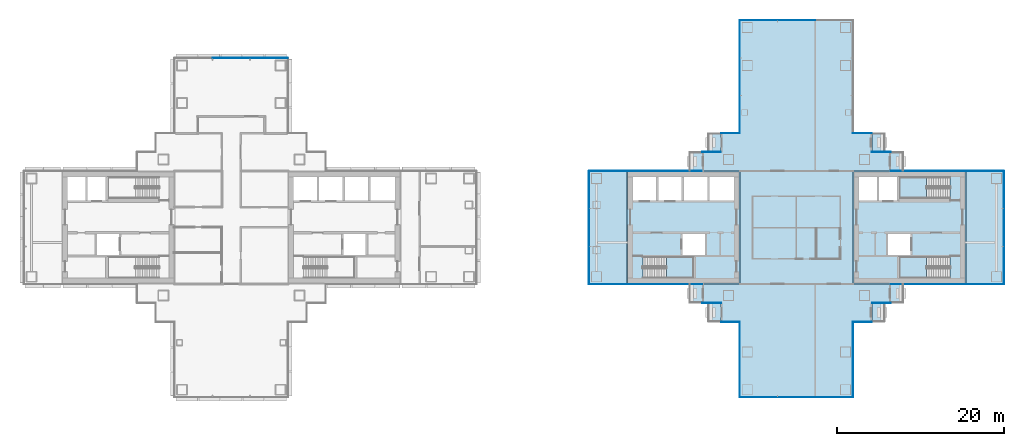
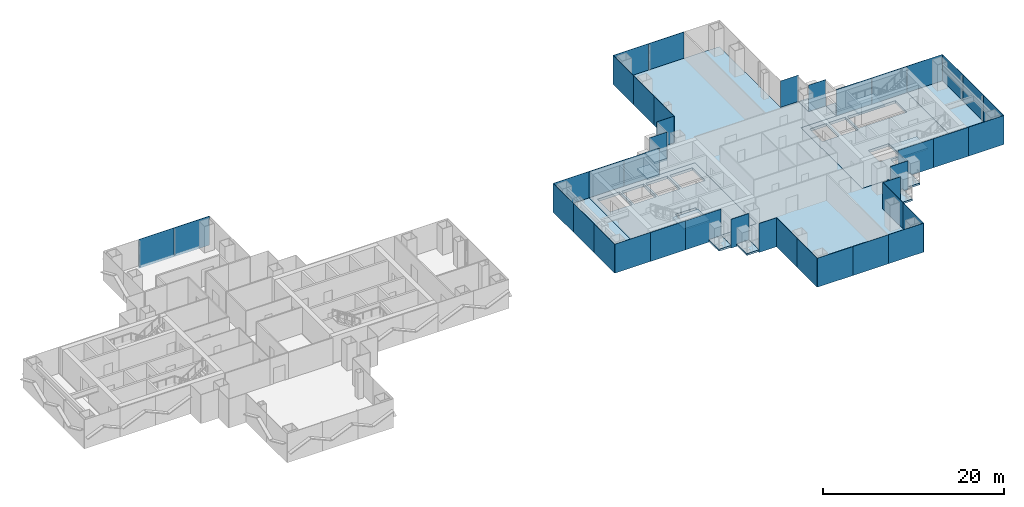
# One storey, part 9 of 19: 40 plates, 16 slabs, 23 elements without a shape of their own.
"""IFC4 building model written with IfcOpenShell, lengths in metres."""

from ifc_helpers import new_model, si_unit, direction, frame, origin, origin_2d, place, context, subcontext, project, spatial, polyline, rectangle, outline, extrude, material, layer, layer_set, type_object, element, aggregate, save


model = new_model("IFC4")

# Units and contexts
model_context = context("Model", 3, precision=1e-05, world=origin(), true_north=direction((0.0, 1.0)))
body_context = subcontext(model_context, "Body", "Model", "MODEL_VIEW")
ifc_project = project(units=[si_unit("LENGTHUNIT", "METRE"), si_unit("AREAUNIT", "SQUARE_METRE"), si_unit("VOLUMEUNIT", "CUBIC_METRE"), si_unit("PLANEANGLEUNIT", "RADIAN"), si_unit("MASSUNIT", "GRAM", prefix="KILO")], contexts=[model_context])

# Site, building, storey
site_placement = place(None, origin())
site = spatial("IfcSite", under=ifc_project, at=site_placement, CompositionType="ELEMENT")
building_placement = place(site_placement, origin())
building = spatial("IfcBuilding", under=site, at=building_placement, Name="Shamsa Quay Exchange Towers", CompositionType="ELEMENT")
storey_placement = place(building_placement, frame((0.0, 0.0, 89.699951171875)))
storey = spatial("IfcBuildingStorey", under=building, at=storey_placement, Name="L20", CompositionType="ELEMENT", Elevation=89.699951171875)

# Slabs
ifc_material_1 = material(Name="Precast concrete C40/50", Category="concrete")
ifc_layer_1 = layer(ifc_material_1, 0.25)
ifc_layer_set_1 = layer_set([ifc_layer_1], Name="BALCONY SLAB 250")
slab_type_1 = type_object("IfcSlabType", Name="BALCONY SLAB 250", PredefinedType="FLOOR", material=ifc_layer_set_1)
slab_1_placement = place(storey_placement, frame((0.0, 0.0, -0.25)))
element("IfcSlab", 1, at=slab_1_placement, inside=storey, type_object=slab_type_1, Name="Balcony T2-PKEN L20", PredefinedType="FLOOR", context=body_context, shape_type="SweptSolid", body=[
    extrude(outline(polyline([(24.75, 11.25), (24.75, 9.0380859375), (23.199951171875, 9.0380859375), (23.199951171875, 11.25), (24.75, 11.25)])), origin(), (0.0, 0.0, 1.0), 0.25),
])
slab_2_placement = place(storey_placement, frame((0.0, 0.0, -0.25)))
element("IfcSlab", 2, at=slab_2_placement, inside=storey, type_object=slab_type_1, Name="Balcony T2-PKEN L20", PredefinedType="FLOOR", context=body_context, shape_type="SweptSolid", body=[
    extrude(outline(polyline([(22.5, 9.0), (22.5, 6.7880859375), (20.949951171875, 6.7880859375), (20.949951171875, 9.0), (22.5, 9.0)])), origin(), (0.0, 0.0, 1.0), 0.25),
])
slab_3_placement = place(storey_placement, frame((0.0, 0.0, -0.25)))
element("IfcSlab", 3, at=slab_3_placement, inside=storey, type_object=slab_type_1, Name="Balcony T2-PKES L20", PredefinedType="FLOOR", context=body_context, shape_type="SweptSolid", body=[
    extrude(outline(polyline([(42.75, 9.0380859375), (42.75, 11.25), (44.300048828125, 11.25), (44.300048828125, 9.0380859375), (42.75, 9.0380859375)])), origin(), (0.0, 0.0, 1.0), 0.25),
])
slab_4_placement = place(storey_placement, frame((0.0, 0.0, -0.25)))
element("IfcSlab", 4, at=slab_4_placement, inside=storey, type_object=slab_type_1, Name="Balcony T2-PKES L20", PredefinedType="FLOOR", context=body_context, shape_type="SweptSolid", body=[
    extrude(outline(polyline([(45.0, 6.7880859375), (45.0, 9.0), (46.550048828125, 9.0), (46.550048828125, 6.7880859375), (45.0, 6.7880859375)])), origin(), (0.0, 0.0, 1.0), 0.25),
])
slab_5_placement = place(storey_placement, frame((0.0, 0.0, -0.25)))
element("IfcSlab", 5, at=slab_5_placement, inside=storey, type_object=slab_type_1, Name="Balcony T2-PKWN L20", PredefinedType="FLOOR", context=body_context, shape_type="SweptSolid", body=[
    extrude(outline(polyline([(22.5, -6.7880859375), (22.5, -9.0), (20.949951171875, -9.0), (20.949951171875, -6.7880859375), (22.5, -6.7880859375)])), origin(), (0.0, 0.0, 1.0), 0.25),
])
slab_6_placement = place(storey_placement, frame((0.0, 0.0, -0.25)))
element("IfcSlab", 6, at=slab_6_placement, inside=storey, type_object=slab_type_1, Name="Balcony T2-PKWN L20", PredefinedType="FLOOR", context=body_context, shape_type="SweptSolid", body=[
    extrude(outline(polyline([(24.75, -9.0380859375), (24.75, -11.25), (23.199951171875, -11.25), (23.199951171875, -9.0380859375), (24.75, -9.0380859375)])), origin(), (0.0, 0.0, 1.0), 0.25),
])
slab_7_placement = place(storey_placement, frame((0.0, 0.0, -0.25)))
element("IfcSlab", 7, at=slab_7_placement, inside=storey, type_object=slab_type_1, Name="Balcony T2-PKWS L20", PredefinedType="FLOOR", context=body_context, shape_type="SweptSolid", body=[
    extrude(outline(polyline([(42.75, -11.25), (42.75, -9.0380859375), (44.300048828125, -9.0380859375), (44.300048828125, -11.25), (42.75, -11.25)])), origin(), (0.0, 0.0, 1.0), 0.25),
])
slab_8_placement = place(storey_placement, frame((0.0, 0.0, -0.25)))
element("IfcSlab", 8, at=slab_8_placement, inside=storey, type_object=slab_type_1, Name="Balcony T2-PKWS L20", PredefinedType="FLOOR", context=body_context, shape_type="SweptSolid", body=[
    extrude(outline(polyline([(45.0, -9.0), (45.0, -6.7880859375), (46.550048828125, -6.7880859375), (46.550048828125, -9.0), (45.0, -9.0)])), origin(), (0.0, 0.0, 1.0), 0.25),
])
ifc_material_2 = material(Name="Concrete C50/60", Category="concrete")
ifc_layer_2 = layer(ifc_material_2, 0.35009765625)
ifc_layer_set_2 = layer_set([ifc_layer_2], Name="CORE FLOOR 350 C50/60")
slab_type_2 = type_object("IfcSlabType", Name="CORE FLOOR 350 C50/60", PredefinedType="FLOOR", material=ifc_layer_set_2)
slab_9_placement = place(storey_placement, frame((0.0, 0.0, -0.349853515625)))
element("IfcSlab", 9, at=slab_9_placement, inside=storey, type_object=slab_type_2, Name="Core floor T2A", PredefinedType="FLOOR", context=body_context, shape_type="SweptSolid", body=[
    extrude(outline(polyline([(13.5, -6.75), (27.0, -6.75), (27.0, 6.75), (13.5, 6.75), (13.5, -6.75)]), holes=[polyline([(15.400634765625, -6.050048828125), (15.400634765625, -3.5), (21.5, -3.5), (21.5, -6.050048828125), (15.400634765625, -6.050048828125)]), polyline([(14.199951171875, 3.25), (14.199951171875, 6.050048828125), (17.0, 6.050048828125), (17.0, 3.25), (14.199951171875, 3.25)]), polyline([(17.25, 3.25), (17.25, 6.050048828125), (20.050048828125, 6.050048828125), (20.050048828125, 3.25), (17.25, 3.25)]), polyline([(20.300048828125, 3.25), (20.300048828125, 6.050048828125), (23.10009765625, 6.050048828125), (23.10009765625, 3.25), (20.300048828125, 3.25)]), polyline([(23.35009765625, 3.25), (23.35009765625, 6.050048828125), (26.300048828125, 6.050048828125), (26.300048828125, 3.25), (23.35009765625, 3.25)]), polyline([(20.14990234375, -3.25), (20.14990234375, -0.75), (22.800048828125, -0.75), (22.800048828125, -3.25), (20.14990234375, -3.25)])]), origin(), (0.0, 0.0, 1.0), 0.349853515625),
])
slab_10_placement = place(storey_placement, frame((0.0, 0.0, -0.349853515625)))
element("IfcSlab", 10, at=slab_10_placement, inside=storey, type_object=slab_type_2, Name="Core floor T2B", PredefinedType="FLOOR", context=body_context, shape_type="SweptSolid", body=[
    extrude(outline(polyline([(54.0, -6.75), (54.0, 6.75), (40.5, 6.75), (40.5, -6.75), (54.0, -6.75)]), holes=[polyline([(52.099365234375, -3.5), (52.099365234375, -6.050048828125), (46.0, -6.050048828125), (46.0, -3.5), (52.099365234375, -3.5)]), polyline([(52.099365234375, 6.050048828125), (52.099365234375, 3.5), (46.0, 3.5), (46.0, 6.050048828125), (52.099365234375, 6.050048828125)]), polyline([(45.75, 3.25), (43.60009765625, 3.25), (43.60009765625, 6.050048828125), (45.75, 6.050048828125), (45.75, 3.25)]), polyline([(43.35009765625, 3.25), (41.199951171875, 3.25), (41.199951171875, 6.050048828125), (43.35009765625, 6.050048828125), (43.35009765625, 3.25)]), polyline([(47.35009765625, -3.25), (44.699951171875, -3.25), (44.699951171875, -0.75), (47.35009765625, -0.75), (47.35009765625, -3.25)])]), origin(), (0.0, 0.0, 1.0), 0.349853515625),
])

# Stair, slab
ifc_material_3 = material(Name="Concrete C40/50", Category="concrete")
stair_type = type_object("IfcStairType", Name="EXIT STAIR 22 RISERS 177 MM", PredefinedType="HALF_TURN_STAIR", material=ifc_material_3)
stair_1_placement = place(storey_placement, origin())
stair_1 = element("IfcStair", 11, at=stair_1_placement, inside=storey, type_object=stair_type, Name="L20 Exit stair ST4", PredefinedType="HALF_TURN_STAIR")
ifc_layer_3 = layer(ifc_material_3, 0.199951171875)
ifc_layer_set_3 = layer_set([ifc_layer_3], Name="CORE STAIR LANDING")
slab_type_3 = type_object("IfcSlabType", Name="CORE STAIR LANDING", PredefinedType="LANDING", material=ifc_layer_set_3)
slab_11_placement = place(storey_placement, frame((0.0, 0.0, 1.75)))
slab_11 = element("IfcSlab", 12, at=slab_11_placement, type_object=slab_type_3, Name="ST4 landing 1", PredefinedType="LANDING", context=body_context, shape_type="SweptSolid", body=[
    extrude(outline(polyline([(18.199951171875, -6.050048828125), (21.5, -6.050048828125), (21.5, -3.5), (18.199951171875, -3.5), (18.199951171875, -6.050048828125)])), origin(), (0.0, 0.0, 1.0), 0.199951171875),
])
aggregate(stair_1, [slab_11])

stair_2_placement = place(storey_placement, origin())
stair_2 = element("IfcStair", 13, at=stair_2_placement, inside=storey, type_object=stair_type, Name="L20 Exit stair ST5", PredefinedType="HALF_TURN_STAIR")
slab_12_placement = place(storey_placement, frame((0.0, 0.0, 1.75)))
slab_12 = element("IfcSlab", 14, at=slab_12_placement, type_object=slab_type_3, Name="ST5 landing 1", PredefinedType="LANDING", context=body_context, shape_type="SweptSolid", body=[
    extrude(outline(polyline([(49.300048828125, -3.5), (46.0, -3.5), (46.0, -6.050048828125), (49.300048828125, -6.050048828125), (49.300048828125, -3.5)])), origin(), (0.0, 0.0, 1.0), 0.199951171875),
])
aggregate(stair_2, [slab_12])

stair_3_placement = place(storey_placement, origin())
stair_3 = element("IfcStair", 15, at=stair_3_placement, inside=storey, type_object=stair_type, Name="L20 Exit stair ST6", PredefinedType="HALF_TURN_STAIR")
slab_13_placement = place(storey_placement, frame((0.0, 0.0, 1.75)))
slab_13 = element("IfcSlab", 16, at=slab_13_placement, type_object=slab_type_3, Name="ST6 landing 1", PredefinedType="LANDING", context=body_context, shape_type="SweptSolid", body=[
    extrude(outline(polyline([(49.300048828125, 6.050048828125), (46.0, 6.050048828125), (46.0, 3.5), (49.300048828125, 3.5), (49.300048828125, 6.050048828125)])), origin(), (0.0, 0.0, 1.0), 0.199951171875),
])
aggregate(stair_3, [slab_13])

# Curtain wall, plates
ifc_material_4 = material(Name="Aluminium EN AW-6063 T6, black anodised", Category="aluminium")
ifc_layer_4 = layer(ifc_material_4, 0.280029296875)
ifc_layer_set_4 = layer_set([ifc_layer_4], Name="CW-1 UNITISED VISION GLASS")
curtain_wall_type_1 = type_object("IfcCurtainWallType", Name="CW-1 UNITISED VISION GLASS", PredefinedType="NOTDEFINED", material=ifc_layer_set_4)
curtain_wall_1_placement = place(storey_placement, origin())
curtain_wall_1 = element("IfcCurtainWall", 17, at=curtain_wall_1_placement, inside=storey, type_object=curtain_wall_type_1, Name="CW1 T1-END-V+ L20", PredefinedType="NOTDEFINED")
ifc_material_5 = material(Name="Glass, laminated, dark tinted", Category="glass")
ifc_layer_5 = layer(ifc_material_5, 0.0400390625)
ifc_layer_set_5 = layer_set([ifc_layer_5], Name="CW-1 VISION GLASS 40")
plate_type_1 = type_object("IfcPlateType", Name="CW-1 VISION GLASS 40", PredefinedType="CURTAIN_PANEL", material=ifc_layer_set_5)
plate_1_placement = place(storey_placement, frame((-29.24755859375, 20.27001953125, -0.349853515625), z_axis=(0.0, 0.0, 1.0), x_axis=(-1.0, 0.0, 0.0)))
plate_1 = element("IfcPlate", 18, at=plate_1_placement, type_object=plate_type_1, Name="CW1 glass panel", PredefinedType="CURTAIN_PANEL", context=body_context, shape_type="SweptSolid", body=[
    extrude(rectangle(XDim=4.4951171875, YDim=0.0400390625, at=origin_2d()), origin(), (0.0, 0.0, 1.0), 3.89990234375),
])
plate_2_placement = place(storey_placement, frame((-33.75, 20.27001953125, -0.349853515625), z_axis=(0.0, 0.0, 1.0), x_axis=(-1.0, 0.0, 0.0)))
plate_2 = element("IfcPlate", 19, at=plate_2_placement, type_object=plate_type_1, Name="CW1 glass panel", PredefinedType="CURTAIN_PANEL", context=body_context, shape_type="SweptSolid", body=[
    extrude(rectangle(XDim=4.489990234375, YDim=0.0400390625, at=origin_2d()), origin(), (0.0, 0.0, 1.0), 3.89990234375),
])
aggregate(curtain_wall_1, [plate_1, plate_2])

# Curtain wall, plate
curtain_wall_2_placement = place(storey_placement, origin())
curtain_wall_2 = element("IfcCurtainWall", 20, at=curtain_wall_2_placement, inside=storey, type_object=curtain_wall_type_1, Name="CW1 T2-FLK-V-W L20", PredefinedType="NOTDEFINED")
plate_3_placement = place(storey_placement, frame((56.25, -6.77001953125, -0.349853515625)))
plate_3 = element("IfcPlate", 21, at=plate_3_placement, type_object=plate_type_1, Name="CW1 glass panel", PredefinedType="CURTAIN_PANEL", context=body_context, shape_type="SweptSolid", body=[
    extrude(rectangle(XDim=4.5, YDim=0.0400390625, at=origin_2d()), origin(), (0.0, 0.0, 1.0), 3.89990234375),
])
aggregate(curtain_wall_2, [plate_3])

# Curtain wall, plates
curtain_wall_3_placement = place(storey_placement, origin())
curtain_wall_3 = element("IfcCurtainWall", 22, at=curtain_wall_3_placement, inside=storey, type_object=curtain_wall_type_1, Name="CW1 T2-END-V- L20", PredefinedType="NOTDEFINED")
plate_4_placement = place(storey_placement, frame((58.52001953125, -4.50244140625, -0.349853515625), z_axis=(0.0, 0.0, 1.0), x_axis=(0.0, 1.0, 0.0)))
plate_4 = element("IfcPlate", 23, at=plate_4_placement, type_object=plate_type_1, Name="CW1 glass panel", PredefinedType="CURTAIN_PANEL", context=body_context, shape_type="SweptSolid", body=[
    extrude(rectangle(XDim=4.4951171875, YDim=0.0400390625, at=origin_2d()), origin(), (0.0, 0.0, 1.0), 3.89990234375),
])
plate_5_placement = place(storey_placement, frame((58.52001953125, 0.0, -0.349853515625), z_axis=(0.0, 0.0, 1.0), x_axis=(0.0, 1.0, 0.0)))
plate_5 = element("IfcPlate", 24, at=plate_5_placement, type_object=plate_type_1, Name="CW1 glass panel", PredefinedType="CURTAIN_PANEL", context=body_context, shape_type="SweptSolid", body=[
    extrude(rectangle(XDim=4.489990234375, YDim=0.0400390625, at=origin_2d()), origin(), (0.0, 0.0, 1.0), 3.89990234375),
])
plate_6_placement = place(storey_placement, frame((58.52001953125, 4.50244140625, -0.349853515625), z_axis=(0.0, 0.0, 1.0), x_axis=(0.0, 1.0, 0.0)))
plate_6 = element("IfcPlate", 25, at=plate_6_placement, type_object=plate_type_1, Name="CW1 glass panel", PredefinedType="CURTAIN_PANEL", context=body_context, shape_type="SweptSolid", body=[
    extrude(rectangle(XDim=4.4951171875, YDim=0.0400390625, at=origin_2d()), origin(), (0.0, 0.0, 1.0), 3.89990234375),
])
aggregate(curtain_wall_3, [plate_4, plate_5, plate_6])

# Curtain wall, plate
curtain_wall_4_placement = place(storey_placement, origin())
curtain_wall_4 = element("IfcCurtainWall", 26, at=curtain_wall_4_placement, inside=storey, type_object=curtain_wall_type_1, Name="CW1 T2-FLK-V-E L20", PredefinedType="NOTDEFINED")
plate_7_placement = place(storey_placement, frame((56.25, 6.77001953125, -0.349853515625), z_axis=(0.0, 0.0, 1.0), x_axis=(-1.0, 0.0, 0.0)))
plate_7 = element("IfcPlate", 27, at=plate_7_placement, type_object=plate_type_1, Name="CW1 glass panel", PredefinedType="CURTAIN_PANEL", context=body_context, shape_type="SweptSolid", body=[
    extrude(rectangle(XDim=4.5, YDim=0.0400390625, at=origin_2d()), origin(), (0.0, 0.0, 1.0), 3.89990234375),
])
aggregate(curtain_wall_4, [plate_7])

# Curtain wall, plates
curtain_wall_5_placement = place(storey_placement, origin())
curtain_wall_5 = element("IfcCurtainWall", 28, at=curtain_wall_5_placement, inside=storey, type_object=curtain_wall_type_1, Name="CW1 T2-END-U+ L20", PredefinedType="NOTDEFINED")
plate_8_placement = place(storey_placement, frame((33.75, 24.77001953125, -0.349853515625), z_axis=(0.0, 0.0, 1.0), x_axis=(-1.0, 0.0, 0.0)))
plate_8 = element("IfcPlate", 29, at=plate_8_placement, type_object=plate_type_1, Name="CW1 glass panel", PredefinedType="CURTAIN_PANEL", context=body_context, shape_type="SweptSolid", body=[
    extrude(rectangle(XDim=4.489990234375, YDim=0.0400390625, at=origin_2d()), origin(), (0.0, 0.0, 1.0), 3.89990234375),
])
plate_9_placement = place(storey_placement, frame((29.24755859375, 24.77001953125, -0.349853515625), z_axis=(0.0, 0.0, 1.0), x_axis=(-1.0, 0.0, 0.0)))
plate_9 = element("IfcPlate", 30, at=plate_9_placement, type_object=plate_type_1, Name="CW1 glass panel", PredefinedType="CURTAIN_PANEL", context=body_context, shape_type="SweptSolid", body=[
    extrude(rectangle(XDim=4.4951171875, YDim=0.0400390625, at=origin_2d()), origin(), (0.0, 0.0, 1.0), 3.89990234375),
])
aggregate(curtain_wall_5, [plate_8, plate_9])

curtain_wall_6_placement = place(storey_placement, origin())
curtain_wall_6 = element("IfcCurtainWall", 31, at=curtain_wall_6_placement, inside=storey, type_object=curtain_wall_type_1, Name="CW1 T2-FLK-U+N L20", PredefinedType="NOTDEFINED")
plate_10_placement = place(storey_placement, frame((26.97998046875, 22.50244140625, -0.349853515625), z_axis=(0.0, 0.0, 1.0), x_axis=(0.0, -1.0, 0.0)))
plate_10 = element("IfcPlate", 32, at=plate_10_placement, type_object=plate_type_1, Name="CW1 glass panel", PredefinedType="CURTAIN_PANEL", context=body_context, shape_type="SweptSolid", body=[
    extrude(rectangle(XDim=4.4951171875, YDim=0.0400390625, at=origin_2d()), origin(), (0.0, 0.0, 1.0), 3.89990234375),
])
plate_11_placement = place(storey_placement, frame((26.97998046875, 18.0, -0.349853515625), z_axis=(0.0, 0.0, 1.0), x_axis=(0.0, -1.0, 0.0)))
plate_11 = element("IfcPlate", 33, at=plate_11_placement, type_object=plate_type_1, Name="CW1 glass panel", PredefinedType="CURTAIN_PANEL", context=body_context, shape_type="SweptSolid", body=[
    extrude(rectangle(XDim=4.489990234375, YDim=0.0400390625, at=origin_2d()), origin(), (0.0, 0.0, 1.0), 3.89990234375),
])
plate_12_placement = place(storey_placement, frame((26.97998046875, 13.49755859375, -0.349853515625), z_axis=(0.0, 0.0, 1.0), x_axis=(0.0, -1.0, 0.0)))
plate_12 = element("IfcPlate", 34, at=plate_12_placement, type_object=plate_type_1, Name="CW1 glass panel", PredefinedType="CURTAIN_PANEL", context=body_context, shape_type="SweptSolid", body=[
    extrude(rectangle(XDim=4.4951171875, YDim=0.0400390625, at=origin_2d()), origin(), (0.0, 0.0, 1.0), 3.89990234375),
])
aggregate(curtain_wall_6, [plate_10, plate_11, plate_12])

# Curtain wall, plate
curtain_wall_7_placement = place(storey_placement, origin())
curtain_wall_7 = element("IfcCurtainWall", 35, at=curtain_wall_7_placement, inside=storey, type_object=curtain_wall_type_1, Name="CW1 T2-FLK-V+E L20", PredefinedType="NOTDEFINED")
plate_13_placement = place(storey_placement, frame((11.25, 6.77001953125, -0.349853515625), z_axis=(0.0, 0.0, 1.0), x_axis=(-1.0, 0.0, 0.0)))
plate_13 = element("IfcPlate", 36, at=plate_13_placement, type_object=plate_type_1, Name="CW1 glass panel", PredefinedType="CURTAIN_PANEL", context=body_context, shape_type="SweptSolid", body=[
    extrude(rectangle(XDim=4.5, YDim=0.0400390625, at=origin_2d()), origin(), (0.0, 0.0, 1.0), 3.89990234375),
])
aggregate(curtain_wall_7, [plate_13])

# Curtain wall, plates
curtain_wall_8_placement = place(storey_placement, origin())
curtain_wall_8 = element("IfcCurtainWall", 37, at=curtain_wall_8_placement, inside=storey, type_object=curtain_wall_type_1, Name="CW1 T2-END-V+ L20", PredefinedType="NOTDEFINED")
plate_14_placement = place(storey_placement, frame((8.97998046875, 4.50244140625, -0.349853515625), z_axis=(0.0, 0.0, 1.0), x_axis=(0.0, -1.0, 0.0)))
plate_14 = element("IfcPlate", 38, at=plate_14_placement, type_object=plate_type_1, Name="CW1 glass panel", PredefinedType="CURTAIN_PANEL", context=body_context, shape_type="SweptSolid", body=[
    extrude(rectangle(XDim=4.4951171875, YDim=0.0400390625, at=origin_2d()), origin(), (0.0, 0.0, 1.0), 3.89990234375),
])
plate_15_placement = place(storey_placement, frame((8.97998046875, 0.0, -0.349853515625), z_axis=(0.0, 0.0, 1.0), x_axis=(0.0, -1.0, 0.0)))
plate_15 = element("IfcPlate", 39, at=plate_15_placement, type_object=plate_type_1, Name="CW1 glass panel", PredefinedType="CURTAIN_PANEL", context=body_context, shape_type="SweptSolid", body=[
    extrude(rectangle(XDim=4.489990234375, YDim=0.0400390625, at=origin_2d()), origin(), (0.0, 0.0, 1.0), 3.89990234375),
])
plate_16_placement = place(storey_placement, frame((8.97998046875, -4.50244140625, -0.349853515625), z_axis=(0.0, 0.0, 1.0), x_axis=(0.0, -1.0, 0.0)))
plate_16 = element("IfcPlate", 40, at=plate_16_placement, type_object=plate_type_1, Name="CW1 glass panel", PredefinedType="CURTAIN_PANEL", context=body_context, shape_type="SweptSolid", body=[
    extrude(rectangle(XDim=4.4951171875, YDim=0.0400390625, at=origin_2d()), origin(), (0.0, 0.0, 1.0), 3.89990234375),
])
aggregate(curtain_wall_8, [plate_14, plate_15, plate_16])

# Curtain wall, plate
curtain_wall_9_placement = place(storey_placement, origin())
curtain_wall_9 = element("IfcCurtainWall", 41, at=curtain_wall_9_placement, inside=storey, type_object=curtain_wall_type_1, Name="CW1 T2-FLK-V+W L20", PredefinedType="NOTDEFINED")
plate_17_placement = place(storey_placement, frame((11.25, -6.77001953125, -0.349853515625)))
plate_17 = element("IfcPlate", 42, at=plate_17_placement, type_object=plate_type_1, Name="CW1 glass panel", PredefinedType="CURTAIN_PANEL", context=body_context, shape_type="SweptSolid", body=[
    extrude(rectangle(XDim=4.5, YDim=0.0400390625, at=origin_2d()), origin(), (0.0, 0.0, 1.0), 3.89990234375),
])
aggregate(curtain_wall_9, [plate_17])

# Curtain wall, plates
curtain_wall_10_placement = place(storey_placement, origin())
curtain_wall_10 = element("IfcCurtainWall", 43, at=curtain_wall_10_placement, inside=storey, type_object=curtain_wall_type_1, Name="CW1 T2-FLK-U-N L20", PredefinedType="NOTDEFINED")
plate_18_placement = place(storey_placement, frame((26.97998046875, -13.52587890625, -0.349853515625), z_axis=(0.0, 0.0, 1.0), x_axis=(0.0, -1.0, 0.0)))
plate_18 = element("IfcPlate", 44, at=plate_18_placement, type_object=plate_type_1, Name="CW1 glass panel", PredefinedType="CURTAIN_PANEL", context=body_context, shape_type="SweptSolid", body=[
    extrude(rectangle(XDim=4.47607421875, YDim=0.0400390625, at=origin_2d()), origin(), (0.0, 0.0, 1.0), 3.89990234375),
])
plate_19_placement = place(storey_placement, frame((26.97998046875, -18.011962890625, -0.349853515625), z_axis=(0.0, 0.0, 1.0), x_axis=(0.0, -1.0, 0.0)))
plate_19 = element("IfcPlate", 45, at=plate_19_placement, type_object=plate_type_1, Name="CW1 glass panel", PredefinedType="CURTAIN_PANEL", context=body_context, shape_type="SweptSolid", body=[
    extrude(rectangle(XDim=4.47607421875, YDim=0.0400390625, at=origin_2d()), origin(), (0.0, 0.0, 1.0), 3.89990234375),
])
aggregate(curtain_wall_10, [plate_18, plate_19])

curtain_wall_11_placement = place(storey_placement, origin())
curtain_wall_11 = element("IfcCurtainWall", 46, at=curtain_wall_11_placement, inside=storey, type_object=curtain_wall_type_1, Name="CW1 T2-END-U- L20", PredefinedType="NOTDEFINED")
plate_20_placement = place(storey_placement, frame((29.24755859375, -20.27001953125, -0.349853515625)))
plate_20 = element("IfcPlate", 47, at=plate_20_placement, type_object=plate_type_1, Name="CW1 glass panel", PredefinedType="CURTAIN_PANEL", context=body_context, shape_type="SweptSolid", body=[
    extrude(rectangle(XDim=4.4951171875, YDim=0.0400390625, at=origin_2d()), origin(), (0.0, 0.0, 1.0), 3.89990234375),
])
plate_21_placement = place(storey_placement, frame((33.75, -20.27001953125, -0.349853515625)))
plate_21 = element("IfcPlate", 48, at=plate_21_placement, type_object=plate_type_1, Name="CW1 glass panel", PredefinedType="CURTAIN_PANEL", context=body_context, shape_type="SweptSolid", body=[
    extrude(rectangle(XDim=4.489990234375, YDim=0.0400390625, at=origin_2d()), origin(), (0.0, 0.0, 1.0), 3.89990234375),
])
plate_22_placement = place(storey_placement, frame((38.25244140625, -20.27001953125, -0.349853515625)))
plate_22 = element("IfcPlate", 49, at=plate_22_placement, type_object=plate_type_1, Name="CW1 glass panel", PredefinedType="CURTAIN_PANEL", context=body_context, shape_type="SweptSolid", body=[
    extrude(rectangle(XDim=4.4951171875, YDim=0.0400390625, at=origin_2d()), origin(), (0.0, 0.0, 1.0), 3.89990234375),
])
aggregate(curtain_wall_11, [plate_20, plate_21, plate_22])

curtain_wall_12_placement = place(storey_placement, origin())
curtain_wall_12 = element("IfcCurtainWall", 50, at=curtain_wall_12_placement, inside=storey, type_object=curtain_wall_type_1, Name="CW1 T2-FLK-U-S L20", PredefinedType="NOTDEFINED")
plate_23_placement = place(storey_placement, frame((40.52001953125, -18.00244140625, -0.349853515625), z_axis=(0.0, 0.0, 1.0), x_axis=(0.0, 1.0, 0.0)))
plate_23 = element("IfcPlate", 51, at=plate_23_placement, type_object=plate_type_1, Name="CW1 glass panel", PredefinedType="CURTAIN_PANEL", context=body_context, shape_type="SweptSolid", body=[
    extrude(rectangle(XDim=4.4951171875, YDim=0.0400390625, at=origin_2d()), origin(), (0.0, 0.0, 1.0), 3.89990234375),
])
plate_24_placement = place(storey_placement, frame((40.52001953125, -13.49755859375, -0.349853515625), z_axis=(0.0, 0.0, 1.0), x_axis=(0.0, 1.0, 0.0)))
plate_24 = element("IfcPlate", 52, at=plate_24_placement, type_object=plate_type_1, Name="CW1 glass panel", PredefinedType="CURTAIN_PANEL", context=body_context, shape_type="SweptSolid", body=[
    extrude(rectangle(XDim=4.4951171875, YDim=0.0400390625, at=origin_2d()), origin(), (0.0, 0.0, 1.0), 3.89990234375),
])
aggregate(curtain_wall_12, [plate_23, plate_24])

ifc_layer_6 = layer(ifc_material_4, 0.303955078125)
ifc_layer_set_6 = layer_set([ifc_layer_6], Name="CW-2 UNITISED OPAQUE SPANDREL GLASS")
curtain_wall_type_2 = type_object("IfcCurtainWallType", Name="CW-2 UNITISED OPAQUE SPANDREL GLASS", PredefinedType="NOTDEFINED", material=ifc_layer_set_6)
curtain_wall_13_placement = place(storey_placement, origin())
curtain_wall_13 = element("IfcCurtainWall", 53, at=curtain_wall_13_placement, inside=storey, type_object=curtain_wall_type_2, Name="CW2 T2-FLK-V-W L20", PredefinedType="NOTDEFINED")
ifc_material_6 = material(Name="Glass, laminated, black enamelled opaque", Category="glass")
ifc_layer_7 = layer(ifc_material_6, 0.0439453125)
ifc_layer_set_7 = layer_set([ifc_layer_7], Name="CW-2 SPANDREL GLASS 44")
plate_type_2 = type_object("IfcPlateType", Name="CW-2 SPANDREL GLASS 44", PredefinedType="CURTAIN_PANEL", material=ifc_layer_set_7)
plate_25_placement = place(storey_placement, frame((47.27587890625, -6.77197265625, -0.349853515625)))
plate_25 = element("IfcPlate", 54, at=plate_25_placement, type_object=plate_type_2, Name="CW2 glass panel", PredefinedType="CURTAIN_PANEL", context=body_context, shape_type="SweptSolid", body=[
    extrude(rectangle(XDim=4.47607421875, YDim=0.0439453125, at=origin_2d()), origin(), (0.0, 0.0, 1.0), 3.89990234375),
])
plate_26_placement = place(storey_placement, frame((51.761962890625, -6.77197265625, -0.349853515625)))
plate_26 = element("IfcPlate", 55, at=plate_26_placement, type_object=plate_type_2, Name="CW2 glass panel", PredefinedType="CURTAIN_PANEL", context=body_context, shape_type="SweptSolid", body=[
    extrude(rectangle(XDim=4.47607421875, YDim=0.0439453125, at=origin_2d()), origin(), (0.0, 0.0, 1.0), 3.89990234375),
])
aggregate(curtain_wall_13, [plate_25, plate_26])

curtain_wall_14_placement = place(storey_placement, origin())
curtain_wall_14 = element("IfcCurtainWall", 56, at=curtain_wall_14_placement, inside=storey, type_object=curtain_wall_type_2, Name="CW2 T2-FLK-V-E L20", PredefinedType="NOTDEFINED")
plate_27_placement = place(storey_placement, frame((51.75244140625, 6.77197265625, -0.349853515625), z_axis=(0.0, 0.0, 1.0), x_axis=(-1.0, 0.0, 0.0)))
plate_27 = element("IfcPlate", 57, at=plate_27_placement, type_object=plate_type_2, Name="CW2 glass panel", PredefinedType="CURTAIN_PANEL", context=body_context, shape_type="SweptSolid", body=[
    extrude(rectangle(XDim=4.4951171875, YDim=0.0439453125, at=origin_2d()), origin(), (0.0, 0.0, 1.0), 3.89990234375),
])
plate_28_placement = place(storey_placement, frame((47.24755859375, 6.77197265625, -0.349853515625), z_axis=(0.0, 0.0, 1.0), x_axis=(-1.0, 0.0, 0.0)))
plate_28 = element("IfcPlate", 58, at=plate_28_placement, type_object=plate_type_2, Name="CW2 glass panel", PredefinedType="CURTAIN_PANEL", context=body_context, shape_type="SweptSolid", body=[
    extrude(rectangle(XDim=4.4951171875, YDim=0.0439453125, at=origin_2d()), origin(), (0.0, 0.0, 1.0), 3.89990234375),
])
aggregate(curtain_wall_14, [plate_27, plate_28])

curtain_wall_15_placement = place(storey_placement, origin())
curtain_wall_15 = element("IfcCurtainWall", 59, at=curtain_wall_15_placement, inside=storey, type_object=curtain_wall_type_2, Name="CW2 T2-FLK-V+E L20", PredefinedType="NOTDEFINED")
plate_29_placement = place(storey_placement, frame((20.22412109375, 6.77197265625, -0.349853515625), z_axis=(0.0, 0.0, 1.0), x_axis=(-1.0, 0.0, 0.0)))
plate_29 = element("IfcPlate", 60, at=plate_29_placement, type_object=plate_type_2, Name="CW2 glass panel", PredefinedType="CURTAIN_PANEL", context=body_context, shape_type="SweptSolid", body=[
    extrude(rectangle(XDim=4.47607421875, YDim=0.0439453125, at=origin_2d()), origin(), (0.0, 0.0, 1.0), 3.89990234375),
])
plate_30_placement = place(storey_placement, frame((15.738037109375, 6.77197265625, -0.349853515625), z_axis=(0.0, 0.0, 1.0), x_axis=(-1.0, 0.0, 0.0)))
plate_30 = element("IfcPlate", 61, at=plate_30_placement, type_object=plate_type_2, Name="CW2 glass panel", PredefinedType="CURTAIN_PANEL", context=body_context, shape_type="SweptSolid", body=[
    extrude(rectangle(XDim=4.47607421875, YDim=0.0439453125, at=origin_2d()), origin(), (0.0, 0.0, 1.0), 3.89990234375),
])
aggregate(curtain_wall_15, [plate_29, plate_30])

curtain_wall_16_placement = place(storey_placement, origin())
curtain_wall_16 = element("IfcCurtainWall", 62, at=curtain_wall_16_placement, inside=storey, type_object=curtain_wall_type_2, Name="CW2 T2-FLK-V+W L20", PredefinedType="NOTDEFINED")
plate_31_placement = place(storey_placement, frame((15.74755859375, -6.77197265625, -0.349853515625)))
plate_31 = element("IfcPlate", 63, at=plate_31_placement, type_object=plate_type_2, Name="CW2 glass panel", PredefinedType="CURTAIN_PANEL", context=body_context, shape_type="SweptSolid", body=[
    extrude(rectangle(XDim=4.4951171875, YDim=0.0439453125, at=origin_2d()), origin(), (0.0, 0.0, 1.0), 3.89990234375),
])
plate_32_placement = place(storey_placement, frame((20.25244140625, -6.77197265625, -0.349853515625)))
plate_32 = element("IfcPlate", 64, at=plate_32_placement, type_object=plate_type_2, Name="CW2 glass panel", PredefinedType="CURTAIN_PANEL", context=body_context, shape_type="SweptSolid", body=[
    extrude(rectangle(XDim=4.4951171875, YDim=0.0439453125, at=origin_2d()), origin(), (0.0, 0.0, 1.0), 3.89990234375),
])
aggregate(curtain_wall_16, [plate_31, plate_32])

ifc_layer_8 = layer(ifc_material_4, 0.256103515625)
ifc_layer_set_8 = layer_set([ifc_layer_8], Name="CW-4 POCKET SERRATED GLAZING")
curtain_wall_type_3 = type_object("IfcCurtainWallType", Name="CW-4 POCKET SERRATED GLAZING", PredefinedType="NOTDEFINED", material=ifc_layer_set_8)
curtain_wall_17_placement = place(storey_placement, origin())
curtain_wall_17 = element("IfcCurtainWall", 65, at=curtain_wall_17_placement, inside=storey, type_object=curtain_wall_type_3, Name="CW4 PKWS L20", PredefinedType="NOTDEFINED")
ifc_layer_9 = layer(ifc_material_5, 0.035888671875)
ifc_layer_set_9 = layer_set([ifc_layer_9], Name="CW-4 POCKET GLASS 36")
plate_type_3 = type_object("IfcPlateType", Name="CW-4 POCKET GLASS 36", PredefinedType="CURTAIN_PANEL", material=ifc_layer_set_9)
plate_33_placement = place(storey_placement, frame((43.89404296875, -9.01806640625, -0.349853515625)))
plate_33 = element("IfcPlate", 66, at=plate_33_placement, type_object=plate_type_3, Name="CW4 glass panel", PredefinedType="CURTAIN_PANEL", context=body_context, shape_type="SweptSolid", body=[
    extrude(rectangle(XDim=2.2119140625, YDim=0.035888671875, at=origin_2d()), origin(), (0.0, 0.0, 1.0), 3.89990234375),
])
plate_34_placement = place(storey_placement, frame((41.64599609375, -11.26806640625, -0.349853515625)))
plate_34 = element("IfcPlate", 67, at=plate_34_placement, type_object=plate_type_3, Name="CW4 glass panel", PredefinedType="CURTAIN_PANEL", context=body_context, shape_type="SweptSolid", body=[
    extrude(rectangle(XDim=2.2080078125, YDim=0.035888671875, at=origin_2d()), origin(), (0.0, 0.0, 1.0), 3.89990234375),
])
aggregate(curtain_wall_17, [plate_33, plate_34])

curtain_wall_18_placement = place(storey_placement, origin())
curtain_wall_18 = element("IfcCurtainWall", 68, at=curtain_wall_18_placement, inside=storey, type_object=curtain_wall_type_3, Name="CW4 PKES L20", PredefinedType="NOTDEFINED")
plate_35_placement = place(storey_placement, frame((43.875, 9.01806640625, -0.349853515625), z_axis=(0.0, 0.0, 1.0), x_axis=(-1.0, 0.0, 0.0)))
plate_35 = element("IfcPlate", 69, at=plate_35_placement, type_object=plate_type_3, Name="CW4 glass panel", PredefinedType="CURTAIN_PANEL", context=body_context, shape_type="SweptSolid", body=[
    extrude(rectangle(XDim=2.25, YDim=0.035888671875, at=origin_2d()), origin(), (0.0, 0.0, 1.0), 3.89990234375),
])
plate_36_placement = place(storey_placement, frame((41.625, 11.26806640625, -0.349853515625), z_axis=(0.0, 0.0, 1.0), x_axis=(-1.0, 0.0, 0.0)))
plate_36 = element("IfcPlate", 70, at=plate_36_placement, type_object=plate_type_3, Name="CW4 glass panel", PredefinedType="CURTAIN_PANEL", context=body_context, shape_type="SweptSolid", body=[
    extrude(rectangle(XDim=2.25, YDim=0.035888671875, at=origin_2d()), origin(), (0.0, 0.0, 1.0), 3.89990234375),
])
aggregate(curtain_wall_18, [plate_35, plate_36])

curtain_wall_19_placement = place(storey_placement, origin())
curtain_wall_19 = element("IfcCurtainWall", 71, at=curtain_wall_19_placement, inside=storey, type_object=curtain_wall_type_3, Name="CW4 PKEN L20", PredefinedType="NOTDEFINED")
plate_37_placement = place(storey_placement, frame((25.85400390625, 11.26806640625, -0.349853515625), z_axis=(0.0, 0.0, 1.0), x_axis=(-1.0, 0.0, 0.0)))
plate_37 = element("IfcPlate", 72, at=plate_37_placement, type_object=plate_type_3, Name="CW4 glass panel", PredefinedType="CURTAIN_PANEL", context=body_context, shape_type="SweptSolid", body=[
    extrude(rectangle(XDim=2.2080078125, YDim=0.035888671875, at=origin_2d()), origin(), (0.0, 0.0, 1.0), 3.89990234375),
])
plate_38_placement = place(storey_placement, frame((23.60595703125, 9.01806640625, -0.349853515625), z_axis=(0.0, 0.0, 1.0), x_axis=(-1.0, 0.0, 0.0)))
plate_38 = element("IfcPlate", 73, at=plate_38_placement, type_object=plate_type_3, Name="CW4 glass panel", PredefinedType="CURTAIN_PANEL", context=body_context, shape_type="SweptSolid", body=[
    extrude(rectangle(XDim=2.2119140625, YDim=0.035888671875, at=origin_2d()), origin(), (0.0, 0.0, 1.0), 3.89990234375),
])
aggregate(curtain_wall_19, [plate_37, plate_38])

curtain_wall_20_placement = place(storey_placement, origin())
curtain_wall_20 = element("IfcCurtainWall", 74, at=curtain_wall_20_placement, inside=storey, type_object=curtain_wall_type_3, Name="CW4 PKWN L20", PredefinedType="NOTDEFINED")
plate_39_placement = place(storey_placement, frame((23.625, -9.01806640625, -0.349853515625)))
plate_39 = element("IfcPlate", 75, at=plate_39_placement, type_object=plate_type_3, Name="CW4 glass panel", PredefinedType="CURTAIN_PANEL", context=body_context, shape_type="SweptSolid", body=[
    extrude(rectangle(XDim=2.25, YDim=0.035888671875, at=origin_2d()), origin(), (0.0, 0.0, 1.0), 3.89990234375),
])
plate_40_placement = place(storey_placement, frame((25.875, -11.26806640625, -0.349853515625)))
plate_40 = element("IfcPlate", 76, at=plate_40_placement, type_object=plate_type_3, Name="CW4 glass panel", PredefinedType="CURTAIN_PANEL", context=body_context, shape_type="SweptSolid", body=[
    extrude(rectangle(XDim=2.25, YDim=0.035888671875, at=origin_2d()), origin(), (0.0, 0.0, 1.0), 3.89990234375),
])
aggregate(curtain_wall_20, [plate_39, plate_40])

# Slabs
ifc_layer_10 = layer(ifc_material_3, 0.35009765625)
ifc_layer_set_10 = layer_set([ifc_layer_10], Name="Flat slab 350")
slab_type_4 = type_object("IfcSlabType", Name="Flat slab 350", PredefinedType="FLOOR", material=ifc_layer_set_10)
slab_14_placement = place(storey_placement, frame((0.0, 0.0, -0.349853515625)))
element("IfcSlab", 77, at=slab_14_placement, inside=storey, type_object=slab_type_4, Name="Flat slab T2 L20 4", PredefinedType="FLOOR", context=body_context, shape_type="SweptSolid", body=[
    extrude(outline(polyline([(9.0, -6.75), (13.5, -6.75), (13.5, 6.75), (9.0, 6.75), (9.0, -6.75)])), origin(), (0.0, 0.0, 1.0), 0.349853515625),
])
slab_15_placement = place(storey_placement, frame((0.0, 0.0, -0.349853515625)))
element("IfcSlab", 78, at=slab_15_placement, inside=storey, type_object=slab_type_4, Name="Flat slab T2 L20 5", PredefinedType="FLOOR", context=body_context, shape_type="SweptSolid", body=[
    extrude(outline(polyline([(45.0, -9.0), (45.0, -6.75), (40.5, -6.75), (40.5, 6.75), (45.0, 6.75), (45.0, 9.0), (42.75, 9.0), (42.75, 11.25), (40.5, 11.25), (40.5, 24.75), (27.0, 24.75), (27.0, 11.25), (24.75, 11.25), (24.75, 9.0), (22.5, 9.0), (22.5, 6.75), (27.0, 6.75), (27.0, -6.75), (22.5, -6.75), (22.5, -9.0), (24.75, -9.0), (24.75, -11.25), (27.0, -11.25), (27.0, -20.25), (40.5, -20.25), (40.5, -11.25), (42.75, -11.25), (42.75, -9.0), (45.0, -9.0)])), origin(), (0.0, 0.0, 1.0), 0.349853515625),
])
slab_16_placement = place(storey_placement, frame((0.0, 0.0, -0.349853515625)))
element("IfcSlab", 79, at=slab_16_placement, inside=storey, type_object=slab_type_4, Name="Flat slab T2 L20 6", PredefinedType="FLOOR", context=body_context, shape_type="SweptSolid", body=[
    extrude(outline(polyline([(58.5, 6.75), (54.0, 6.75), (54.0, -6.75), (58.5, -6.75), (58.5, 6.75)])), origin(), (0.0, 0.0, 1.0), 0.349853515625),
])

save(model, "model.ifc")
